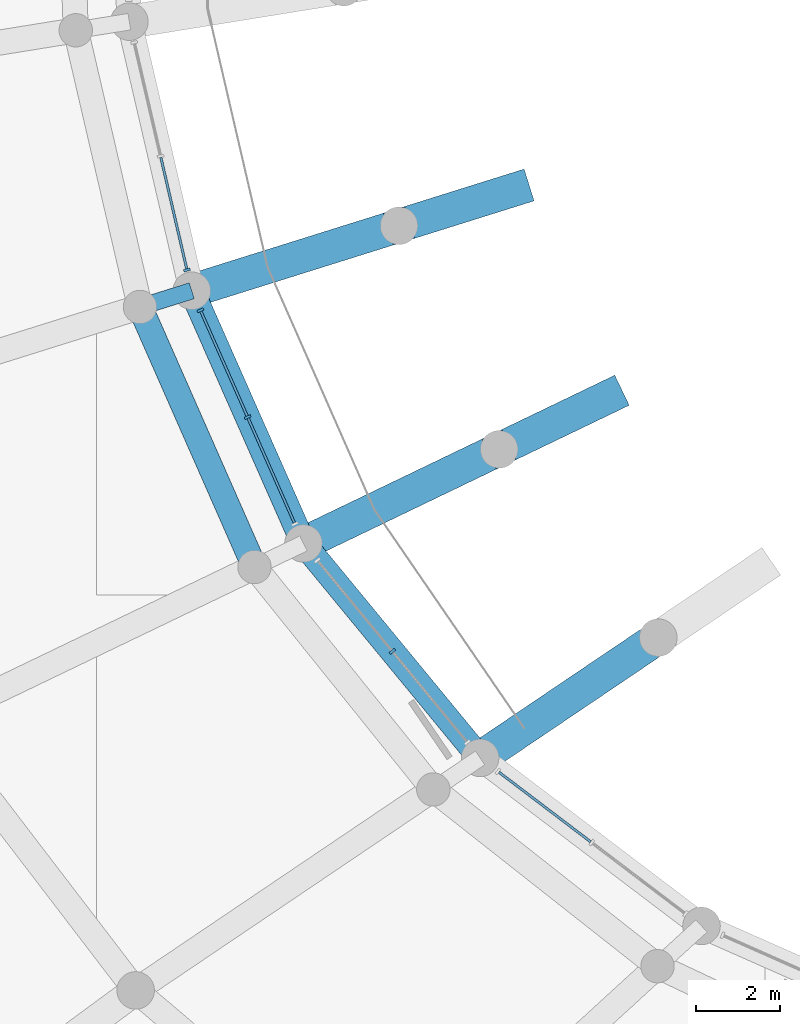
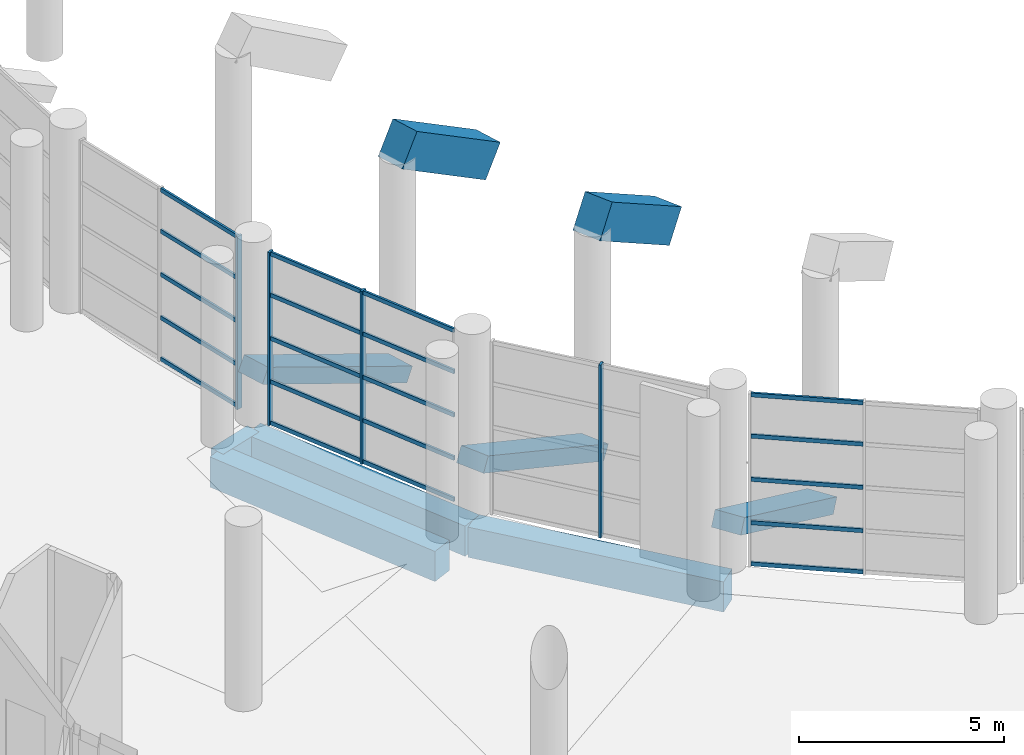
# One storey, part 17 of 271: 24 members, 9 beams, 4 elements without a shape of their own.
"""IFC4 building model written with IfcOpenShell, lengths in metres."""

from ifc_helpers import new_model, si_unit, direction, frame, origin, origin_2d, place, context, subcontext, project, spatial, rectangle, extrude, material, layer, layer_set, material_profile, profile_set, type_object, element, aggregate, save


model = new_model("IFC4")

# Units and contexts
model_context = context("Model", 3, precision=1e-05, world=origin(), true_north=direction((0.0, 1.0)))
body_context = subcontext(model_context, "Body", "Model", "MODEL_VIEW")
ifc_project = project(units=[si_unit("LENGTHUNIT", "METRE"), si_unit("AREAUNIT", "SQUARE_METRE"), si_unit("VOLUMEUNIT", "CUBIC_METRE"), si_unit("PLANEANGLEUNIT", "RADIAN"), si_unit("MASSUNIT", "GRAM", prefix="KILO")], contexts=[model_context])

# Site, building, storey
site_placement = place(None, origin())
site = spatial("IfcSite", under=ifc_project, at=site_placement, CompositionType="ELEMENT")
building_placement = place(site_placement, origin())
building = spatial("IfcBuilding", under=site, at=building_placement, Name="Meseta Stadium", CompositionType="ELEMENT")
storey_placement = place(building_placement, frame((0.0, 0.0, 6.5)))
storey = spatial("IfcBuildingStorey", under=building, at=storey_placement, Name="L01", CompositionType="ELEMENT", Elevation=6.5)

# Curtain wall, member
ifc_material_1 = material(Name="Aluminium", Category="aluminium")
ifc_layer = layer(ifc_material_1, 0.199951171875)
ifc_layer_set = layer_set([ifc_layer], Name="Club glazing curtain wall")
curtain_wall_type = type_object("IfcCurtainWallType", Name="Club glazing curtain wall", PredefinedType="NOTDEFINED", material=ifc_layer_set)
curtain_wall_1_placement = place(storey_placement, origin())
curtain_wall_1 = element("IfcCurtainWall", 1, at=curtain_wall_1_placement, inside=storey, type_object=curtain_wall_type, Name="Club glazing bay 37", PredefinedType="NOTDEFINED")
ifc_material_2 = material(Name="Aluminium", Category="aluminium")
ifc_material_profile_1 = material_profile(ifc_material_2, rectangle(XDim=0.159912109375, YDim=0.06005859375, at=origin_2d()), Name="CW 160x60")
ifc_profile_set_1 = profile_set([ifc_material_profile_1], Name="Aluminium")
member_type_1 = type_object("IfcMemberType", Name="CW mullion 60x160", PredefinedType="MULLION", material=ifc_profile_set_1)
member_1_placement = place(storey_placement, frame((-61.838623046875, -56.21826171875, 0.0), z_axis=(0.0, 0.0, 1.0), x_axis=(0.974116107399, 0.226048245529, 0.0)))
member_1 = element("IfcMember", 2, at=member_1_placement, type_object=member_type_1, Name="CWC mullion 3", PredefinedType="MULLION", context=body_context, shape_type="SweptSolid", body=[
    extrude(rectangle(XDim=0.159912109375, YDim=0.06005859375, at=origin_2d()), origin(), (0.0, 0.0, 1.0), 5.14990234375),
])

# Curtain wall, members
curtain_wall_2_placement = place(storey_placement, origin())
curtain_wall_2 = element("IfcCurtainWall", 3, at=curtain_wall_2_placement, inside=storey, type_object=curtain_wall_type, Name="Club glazing bay 38", PredefinedType="NOTDEFINED")
member_2_placement = place(storey_placement, frame((-61.51611328125, -57.183837890625, 0.0), z_axis=(0.0, 0.0, 1.0), x_axis=(0.914657215102, 0.404230353712, 0.0)))
member_2 = element("IfcMember", 4, at=member_2_placement, type_object=member_type_1, Name="CWC mullion 1", PredefinedType="MULLION", context=body_context, shape_type="SweptSolid", body=[
    extrude(rectangle(XDim=0.159912109375, YDim=0.06005859375, at=origin_2d()), origin(), (0.0, 0.0, 1.0), 5.14990234375),
])
member_3_placement = place(storey_placement, frame((-60.385498046875, -59.7421875, 0.0), z_axis=(0.0, 0.0, 1.0), x_axis=(0.914657215102, 0.404230353712, 0.0)))
member_3 = element("IfcMember", 5, at=member_3_placement, type_object=member_type_1, Name="CWC mullion 2", PredefinedType="MULLION", context=body_context, shape_type="SweptSolid", body=[
    extrude(rectangle(XDim=0.159912109375, YDim=0.06005859375, at=origin_2d()), origin(), (0.0, 0.0, 1.0), 5.14990234375),
])

# Curtain wall, member
curtain_wall_3_placement = place(storey_placement, origin())
curtain_wall_3 = element("IfcCurtainWall", 6, at=curtain_wall_3_placement, inside=storey, type_object=curtain_wall_type, Name="Club glazing bay 39", PredefinedType="NOTDEFINED")
member_4_placement = place(storey_placement, frame((-56.920654296875, -65.3505859375, 0.0), z_axis=(0.0, 0.0, 1.0), x_axis=(0.771902420685, 0.63574102663, 0.0)))
member_4 = element("IfcMember", 7, at=member_4_placement, type_object=member_type_1, Name="CWC mullion 2", PredefinedType="MULLION", context=body_context, shape_type="SweptSolid", body=[
    extrude(rectangle(XDim=0.159912109375, YDim=0.06005859375, at=origin_2d()), origin(), (0.0, 0.0, 1.0), 5.14990234375),
])
aggregate(curtain_wall_3, [member_4])

# Member
ifc_material_3 = material(Name="Aluminium", Category="aluminium")
ifc_material_profile_2 = material_profile(ifc_material_3, rectangle(XDim=0.06005859375, YDim=0.1201171875, at=origin_2d()), Name="CW 60x120")
ifc_profile_set_2 = profile_set([ifc_material_profile_2], Name="Aluminium")
member_type_2 = type_object("IfcMemberType", Name="CW transom 60x120", PredefinedType="USERDEFINED", material=ifc_profile_set_2)
member_5_placement = place(storey_placement, frame((-62.4638671875, -53.5234375, 0.06005859375), z_axis=(0.226064707023, -0.974112287285, 0.0), x_axis=(0.974112287285, 0.226064707023, 0.0)))
member_5 = element("IfcMember", 8, at=member_5_placement, type_object=member_type_2, Name="CWC transom 2.1", ObjectType="TRANSOM", PredefinedType="USERDEFINED", context=body_context, shape_type="SweptSolid", body=[
    extrude(rectangle(XDim=0.06005859375, YDim=0.1201171875, at=origin_2d()), origin(), (0.0, 0.0, 1.0), 2.736572265625),
])

member_6_placement = place(storey_placement, frame((-62.4638671875, -53.5234375, 1.28759765625), z_axis=(0.226064707023, -0.974112287285, 0.0), x_axis=(0.974112287285, 0.226064707023, 0.0)))
member_6 = element("IfcMember", 9, at=member_6_placement, type_object=member_type_2, Name="CWC transom 2.2", ObjectType="TRANSOM", PredefinedType="USERDEFINED", context=body_context, shape_type="SweptSolid", body=[
    extrude(rectangle(XDim=0.06005859375, YDim=0.1201171875, at=origin_2d()), origin(), (0.0, 0.0, 1.0), 2.736572265625),
])

member_7_placement = place(storey_placement, frame((-62.4638671875, -53.5234375, 2.574951171875), z_axis=(0.226064707023, -0.974112287285, 0.0), x_axis=(0.974112287285, 0.226064707023, 0.0)))
member_7 = element("IfcMember", 10, at=member_7_placement, type_object=member_type_2, Name="CWC transom 2.3", ObjectType="TRANSOM", PredefinedType="USERDEFINED", context=body_context, shape_type="SweptSolid", body=[
    extrude(rectangle(XDim=0.06005859375, YDim=0.1201171875, at=origin_2d()), origin(), (0.0, 0.0, 1.0), 2.736572265625),
])

member_8_placement = place(storey_placement, frame((-62.4638671875, -53.5234375, 3.862548828125), z_axis=(0.226064707023, -0.974112287285, 0.0), x_axis=(0.974112287285, 0.226064707023, 0.0)))
member_8 = element("IfcMember", 11, at=member_8_placement, type_object=member_type_2, Name="CWC transom 2.4", ObjectType="TRANSOM", PredefinedType="USERDEFINED", context=body_context, shape_type="SweptSolid", body=[
    extrude(rectangle(XDim=0.06005859375, YDim=0.1201171875, at=origin_2d()), origin(), (0.0, 0.0, 1.0), 2.736572265625),
])

member_9_placement = place(storey_placement, frame((-62.4638671875, -53.5234375, 5.090087890625), z_axis=(0.226064707023, -0.974112287285, 0.0), x_axis=(0.974112287285, 0.226064707023, 0.0)))
member_9 = element("IfcMember", 12, at=member_9_placement, type_object=member_type_2, Name="CWC transom 2.5", ObjectType="TRANSOM", PredefinedType="USERDEFINED", context=body_context, shape_type="SweptSolid", body=[
    extrude(rectangle(XDim=0.06005859375, YDim=0.1201171875, at=origin_2d()), origin(), (0.0, 0.0, 1.0), 2.736572265625),
])

aggregate(curtain_wall_1, [member_1, member_5, member_6, member_7, member_8, member_9])

member_10_placement = place(storey_placement, frame((-61.504150390625, -57.211181640625, 0.06005859375), z_axis=(0.404217645264, -0.914662831461, 0.0), x_axis=(0.914662831461, 0.404217645264, 0.0)))
member_10 = element("IfcMember", 13, at=member_10_placement, type_object=member_type_2, Name="CWC transom 1.1", ObjectType="TRANSOM", PredefinedType="USERDEFINED", context=body_context, shape_type="SweptSolid", body=[
    extrude(rectangle(XDim=0.06005859375, YDim=0.1201171875, at=origin_2d()), origin(), (0.0, 0.0, 1.0), 2.7373046875),
])

member_11_placement = place(storey_placement, frame((-61.504150390625, -57.211181640625, 1.28759765625), z_axis=(0.404217645264, -0.914662831461, 0.0), x_axis=(0.914662831461, 0.404217645264, 0.0)))
member_11 = element("IfcMember", 14, at=member_11_placement, type_object=member_type_2, Name="CWC transom 1.2", ObjectType="TRANSOM", PredefinedType="USERDEFINED", context=body_context, shape_type="SweptSolid", body=[
    extrude(rectangle(XDim=0.06005859375, YDim=0.1201171875, at=origin_2d()), origin(), (0.0, 0.0, 1.0), 2.7373046875),
])

member_12_placement = place(storey_placement, frame((-61.504150390625, -57.211181640625, 2.574951171875), z_axis=(0.404217645264, -0.914662831461, 0.0), x_axis=(0.914662831461, 0.404217645264, 0.0)))
member_12 = element("IfcMember", 15, at=member_12_placement, type_object=member_type_2, Name="CWC transom 1.3", ObjectType="TRANSOM", PredefinedType="USERDEFINED", context=body_context, shape_type="SweptSolid", body=[
    extrude(rectangle(XDim=0.06005859375, YDim=0.1201171875, at=origin_2d()), origin(), (0.0, 0.0, 1.0), 2.7373046875),
])

member_13_placement = place(storey_placement, frame((-61.504150390625, -57.211181640625, 3.862548828125), z_axis=(0.404217645264, -0.914662831461, 0.0), x_axis=(0.914662831461, 0.404217645264, 0.0)))
member_13 = element("IfcMember", 16, at=member_13_placement, type_object=member_type_2, Name="CWC transom 1.4", ObjectType="TRANSOM", PredefinedType="USERDEFINED", context=body_context, shape_type="SweptSolid", body=[
    extrude(rectangle(XDim=0.06005859375, YDim=0.1201171875, at=origin_2d()), origin(), (0.0, 0.0, 1.0), 2.7373046875),
])

member_14_placement = place(storey_placement, frame((-61.504150390625, -57.211181640625, 5.090087890625), z_axis=(0.404217645264, -0.914662831461, 0.0), x_axis=(0.914662831461, 0.404217645264, 0.0)))
member_14 = element("IfcMember", 17, at=member_14_placement, type_object=member_type_2, Name="CWC transom 1.5", ObjectType="TRANSOM", PredefinedType="USERDEFINED", context=body_context, shape_type="SweptSolid", body=[
    extrude(rectangle(XDim=0.06005859375, YDim=0.1201171875, at=origin_2d()), origin(), (0.0, 0.0, 1.0), 2.7373046875),
])

member_15_placement = place(storey_placement, frame((-60.373291015625, -59.76953125, 0.06005859375), z_axis=(0.404217645264, -0.914662831461, 0.0), x_axis=(0.914662831461, 0.404217645264, 0.0)))
member_15 = element("IfcMember", 18, at=member_15_placement, type_object=member_type_2, Name="CWC transom 2.1", ObjectType="TRANSOM", PredefinedType="USERDEFINED", context=body_context, shape_type="SweptSolid", body=[
    extrude(rectangle(XDim=0.06005859375, YDim=0.1201171875, at=origin_2d()), origin(), (0.0, 0.0, 1.0), 2.7373046875),
])

member_16_placement = place(storey_placement, frame((-60.373291015625, -59.76953125, 1.28759765625), z_axis=(0.404217645264, -0.914662831461, 0.0), x_axis=(0.914662831461, 0.404217645264, 0.0)))
member_16 = element("IfcMember", 19, at=member_16_placement, type_object=member_type_2, Name="CWC transom 2.2", ObjectType="TRANSOM", PredefinedType="USERDEFINED", context=body_context, shape_type="SweptSolid", body=[
    extrude(rectangle(XDim=0.06005859375, YDim=0.1201171875, at=origin_2d()), origin(), (0.0, 0.0, 1.0), 2.7373046875),
])

member_17_placement = place(storey_placement, frame((-60.373291015625, -59.76953125, 2.574951171875), z_axis=(0.404217645264, -0.914662831461, 0.0), x_axis=(0.914662831461, 0.404217645264, 0.0)))
member_17 = element("IfcMember", 20, at=member_17_placement, type_object=member_type_2, Name="CWC transom 2.3", ObjectType="TRANSOM", PredefinedType="USERDEFINED", context=body_context, shape_type="SweptSolid", body=[
    extrude(rectangle(XDim=0.06005859375, YDim=0.1201171875, at=origin_2d()), origin(), (0.0, 0.0, 1.0), 2.7373046875),
])

member_18_placement = place(storey_placement, frame((-60.373291015625, -59.76953125, 3.862548828125), z_axis=(0.404217645264, -0.914662831461, 0.0), x_axis=(0.914662831461, 0.404217645264, 0.0)))
member_18 = element("IfcMember", 21, at=member_18_placement, type_object=member_type_2, Name="CWC transom 2.4", ObjectType="TRANSOM", PredefinedType="USERDEFINED", context=body_context, shape_type="SweptSolid", body=[
    extrude(rectangle(XDim=0.06005859375, YDim=0.1201171875, at=origin_2d()), origin(), (0.0, 0.0, 1.0), 2.7373046875),
])

member_19_placement = place(storey_placement, frame((-60.373291015625, -59.76953125, 5.090087890625), z_axis=(0.404217645264, -0.914662831461, 0.0), x_axis=(0.914662831461, 0.404217645264, 0.0)))
member_19 = element("IfcMember", 22, at=member_19_placement, type_object=member_type_2, Name="CWC transom 2.5", ObjectType="TRANSOM", PredefinedType="USERDEFINED", context=body_context, shape_type="SweptSolid", body=[
    extrude(rectangle(XDim=0.06005859375, YDim=0.1201171875, at=origin_2d()), origin(), (0.0, 0.0, 1.0), 2.7373046875),
])

aggregate(curtain_wall_2, [member_2, member_3, member_10, member_11, member_12, member_13, member_14, member_15, member_16, member_17, member_18, member_19])

# Curtain wall, members
curtain_wall_4_placement = place(storey_placement, origin())
curtain_wall_4 = element("IfcCurtainWall", 23, at=curtain_wall_4_placement, inside=storey, type_object=curtain_wall_type, Name="Club glazing bay 40", PredefinedType="NOTDEFINED")
member_20_placement = place(storey_placement, frame((-54.368896484375, -68.24365234375, 0.06005859375), z_axis=(0.796579631183, -0.604533614603, 0.0), x_axis=(0.604533614603, 0.796579631183, 0.0)))
member_20 = element("IfcMember", 24, at=member_20_placement, type_object=member_type_2, Name="CWC transom 1.1", ObjectType="TRANSOM", PredefinedType="USERDEFINED", context=body_context, shape_type="SweptSolid", body=[
    extrude(rectangle(XDim=0.06005859375, YDim=0.1201171875, at=origin_2d()), origin(), (0.0, 0.0, 1.0), 2.760009765625),
])
member_21_placement = place(storey_placement, frame((-54.368896484375, -68.24365234375, 1.28759765625), z_axis=(0.796579631183, -0.604533614603, 0.0), x_axis=(0.604533614603, 0.796579631183, 0.0)))
member_21 = element("IfcMember", 25, at=member_21_placement, type_object=member_type_2, Name="CWC transom 1.2", ObjectType="TRANSOM", PredefinedType="USERDEFINED", context=body_context, shape_type="SweptSolid", body=[
    extrude(rectangle(XDim=0.06005859375, YDim=0.1201171875, at=origin_2d()), origin(), (0.0, 0.0, 1.0), 2.760009765625),
])
member_22_placement = place(storey_placement, frame((-54.368896484375, -68.24365234375, 2.574951171875), z_axis=(0.796579631183, -0.604533614603, 0.0), x_axis=(0.604533614603, 0.796579631183, 0.0)))
member_22 = element("IfcMember", 26, at=member_22_placement, type_object=member_type_2, Name="CWC transom 1.3", ObjectType="TRANSOM", PredefinedType="USERDEFINED", context=body_context, shape_type="SweptSolid", body=[
    extrude(rectangle(XDim=0.06005859375, YDim=0.1201171875, at=origin_2d()), origin(), (0.0, 0.0, 1.0), 2.760009765625),
])
member_23_placement = place(storey_placement, frame((-54.368896484375, -68.24365234375, 3.862548828125), z_axis=(0.796579631183, -0.604533614603, 0.0), x_axis=(0.604533614603, 0.796579631183, 0.0)))
member_23 = element("IfcMember", 27, at=member_23_placement, type_object=member_type_2, Name="CWC transom 1.4", ObjectType="TRANSOM", PredefinedType="USERDEFINED", context=body_context, shape_type="SweptSolid", body=[
    extrude(rectangle(XDim=0.06005859375, YDim=0.1201171875, at=origin_2d()), origin(), (0.0, 0.0, 1.0), 2.760009765625),
])
member_24_placement = place(storey_placement, frame((-54.368896484375, -68.24365234375, 5.090087890625), z_axis=(0.796579631183, -0.604533614603, 0.0), x_axis=(0.604533614603, 0.796579631183, 0.0)))
member_24 = element("IfcMember", 28, at=member_24_placement, type_object=member_type_2, Name="CWC transom 1.5", ObjectType="TRANSOM", PredefinedType="USERDEFINED", context=body_context, shape_type="SweptSolid", body=[
    extrude(rectangle(XDim=0.06005859375, YDim=0.1201171875, at=origin_2d()), origin(), (0.0, 0.0, 1.0), 2.760009765625),
])
aggregate(curtain_wall_4, [member_20, member_21, member_22, member_23, member_24])

# Beams
ifc_material_4 = material(Name="Concrete C40/50", Category="concrete")
ifc_material_profile_3 = material_profile(ifc_material_4, rectangle(XDim=0.39990234375, YDim=0.60009765625, at=origin_2d()), Name="RC 400x600")
ifc_profile_set_3 = profile_set([ifc_material_profile_3], Name="Concrete C40/50")
beam_type_1 = type_object("IfcBeamType", Name="RC beam 400x600", PredefinedType="BEAM", material=ifc_profile_set_3)
beam_1_placement = place(storey_placement, frame((-61.72314453125, -56.715576171875, -0.64990234375), z_axis=(-0.954202212312, -0.299162394059, 0.0), x_axis=(0.299162394059, -0.954202212312, 0.0)))
element("IfcBeam", 29, at=beam_1_placement, inside=storey, type_object=beam_type_1, Name="L01 radial beam frame 38 line C to D", PredefinedType="BEAM", context=body_context, shape_type="SweptSolid", body=[
    extrude(rectangle(XDim=0.39990234375, YDim=0.60009765625, at=origin_2d()), origin(), (0.0, 0.0, 1.0), 1.300048828125),
])
ifc_material_5 = material(Name="Concrete C40/50", Category="concrete")
ifc_material_profile_4 = material_profile(ifc_material_5, rectangle(XDim=0.60009765625, YDim=0.89990234375, at=origin_2d()), Name="RC 600x900")
ifc_profile_set_4 = profile_set([ifc_material_profile_4], Name="Concrete C40/50")
beam_type_2 = type_object("IfcBeamType", Name="RC beam 600x900", PredefinedType="BEAM", material=ifc_profile_set_4)
beam_2_placement = place(storey_placement, frame((-61.72314453125, -56.715576171875, -0.800048828125), z_axis=(0.404223446973, -0.914660267486, 0.0), x_axis=(0.914660267486, 0.404223446973, 0.0)))
element("IfcBeam", 30, at=beam_2_placement, inside=storey, type_object=beam_type_2, Name="L01 ring beam frame 38 line C", PredefinedType="BEAM", context=body_context, shape_type="SweptSolid", body=[
    extrude(rectangle(XDim=0.60009765625, YDim=0.89990234375, at=origin_2d()), origin(), (0.0, 0.0, 1.0), 6.615234375),
])
beam_3_placement = place(storey_placement, frame((-62.963623046875, -57.1044921875, -0.800048828125), z_axis=(0.402982741988, -0.915207577361, 0.0), x_axis=(0.915207577361, 0.402982741988, 0.0)))
element("IfcBeam", 31, at=beam_3_placement, inside=storey, type_object=beam_type_2, Name="L01 ring beam frame 38 line D", PredefinedType="BEAM", context=body_context, shape_type="SweptSolid", body=[
    extrude(rectangle(XDim=0.60009765625, YDim=0.89990234375, at=origin_2d()), origin(), (0.0, 0.0, 1.0), 6.802978515625),
])
beam_4_placement = place(storey_placement, frame((-59.049072265625, -62.766357421875, -0.800048828125), z_axis=(0.635748413749, -0.771896336573, 0.0), x_axis=(0.771896336573, 0.635748413749, 0.0)))
element("IfcBeam", 32, at=beam_4_placement, inside=storey, type_object=beam_type_2, Name="L01 ring beam frame 39 line C", PredefinedType="BEAM", context=body_context, shape_type="SweptSolid", body=[
    extrude(rectangle(XDim=0.60009765625, YDim=0.89990234375, at=origin_2d()), origin(), (0.0, 0.0, 1.0), 6.65283203125),
])
ifc_material_6 = material(Name="Concrete C40/50", Category="concrete")
ifc_material_profile_5 = material_profile(ifc_material_6, rectangle(XDim=0.800048828125, YDim=0.449951171875, at=origin_2d()), Name="RC 800x450")
ifc_profile_set_5 = profile_set([ifc_material_profile_5], Name="Concrete C40/50")
beam_type_3 = type_object("IfcBeamType", Name="RC raker lower 800x450", PredefinedType="USERDEFINED", material=ifc_profile_set_5)
beam_5_placement = place(storey_placement, frame((-56.76123046875, -55.159912109375, -1.231689453125), z_axis=(-0.85050096768, -0.266649880243, 0.453371751813), x_axis=(0.299162394059, -0.954202212312, 0.0)))
element("IfcBeam", 33, at=beam_5_placement, inside=storey, type_object=beam_type_3, Name="Raker lower frame 38 lower tier", ObjectType="RAKER", PredefinedType="USERDEFINED", context=body_context, shape_type="SweptSolid", body=[
    extrude(rectangle(XDim=0.800048828125, YDim=0.449951171875, at=origin_2d()), origin(), (0.0, 0.0, 1.0), 5.834228515625),
])
beam_6_placement = place(storey_placement, frame((-54.3642578125, -60.513427734375, -1.173583984375), z_axis=(-0.803272012463, -0.386293925218, 0.453355354368), x_axis=(0.433390534461, -0.90120621649, 0.0)))
element("IfcBeam", 34, at=beam_6_placement, inside=storey, type_object=beam_type_3, Name="Raker lower frame 39 lower tier", ObjectType="RAKER", PredefinedType="USERDEFINED", context=body_context, shape_type="SweptSolid", body=[
    extrude(rectangle(XDim=0.800048828125, YDim=0.449951171875, at=origin_2d()), origin(), (0.0, 0.0, 1.0), 5.832275390625),
])
beam_7_placement = place(storey_placement, frame((-50.552978515625, -65.021240234375, -1.389892578125), z_axis=(-0.738740532827, -0.498721721578, 0.453364168836), x_axis=(0.559528241414, -0.828811285553, 0.0)))
element("IfcBeam", 35, at=beam_7_placement, inside=storey, type_object=beam_type_3, Name="Raker lower frame 40 lower tier", ObjectType="RAKER", PredefinedType="USERDEFINED", context=body_context, shape_type="SweptSolid", body=[
    extrude(rectangle(XDim=0.800048828125, YDim=0.449951171875, at=origin_2d()), origin(), (0.0, 0.0, 1.0), 5.775390625),
])
ifc_material_7 = material(Name="Concrete C40/50", Category="concrete")
ifc_material_profile_6 = material_profile(ifc_material_7, rectangle(XDim=0.800048828125, YDim=1.0, at=origin_2d()), Name="RC 800x1000")
ifc_profile_set_6 = profile_set([ifc_material_profile_6], Name="Concrete C40/50")
beam_type_4 = type_object("IfcBeamType", Name="RC raker upper front 800x1000", PredefinedType="USERDEFINED", material=ifc_profile_set_6)
for number, where, z_axis, x_axis, name in (
    (36, (-53.898681640625, -54.26220703125, 3.57470703125), (-0.80976492274, -0.253945042296, 0.528954332048), (0.29923402526, -0.954179751476, 0.0), "Raker upper front frame 38 upper tier"),
    (37, (-51.66064453125, -59.213134765625, 3.830810546875), (-0.764769974401, -0.367813336072, 0.528999277941), (0.433424089066, -0.901190079294, 0.0), "Raker upper front frame 39 upper tier"),
):
    element("IfcBeam", number, at=place(storey_placement, frame(where, z_axis=z_axis, x_axis=x_axis)), inside=storey, type_object=beam_type_4, Name=name, ObjectType="RAKER", PredefinedType="USERDEFINED", context=body_context, shape_type="SweptSolid", body=[
        extrude(rectangle(XDim=0.800048828125, YDim=1.0, at=origin_2d()), origin(), (0.0, 0.0, 1.0), 3.53515625),
    ])

save(model, "model.ifc")
